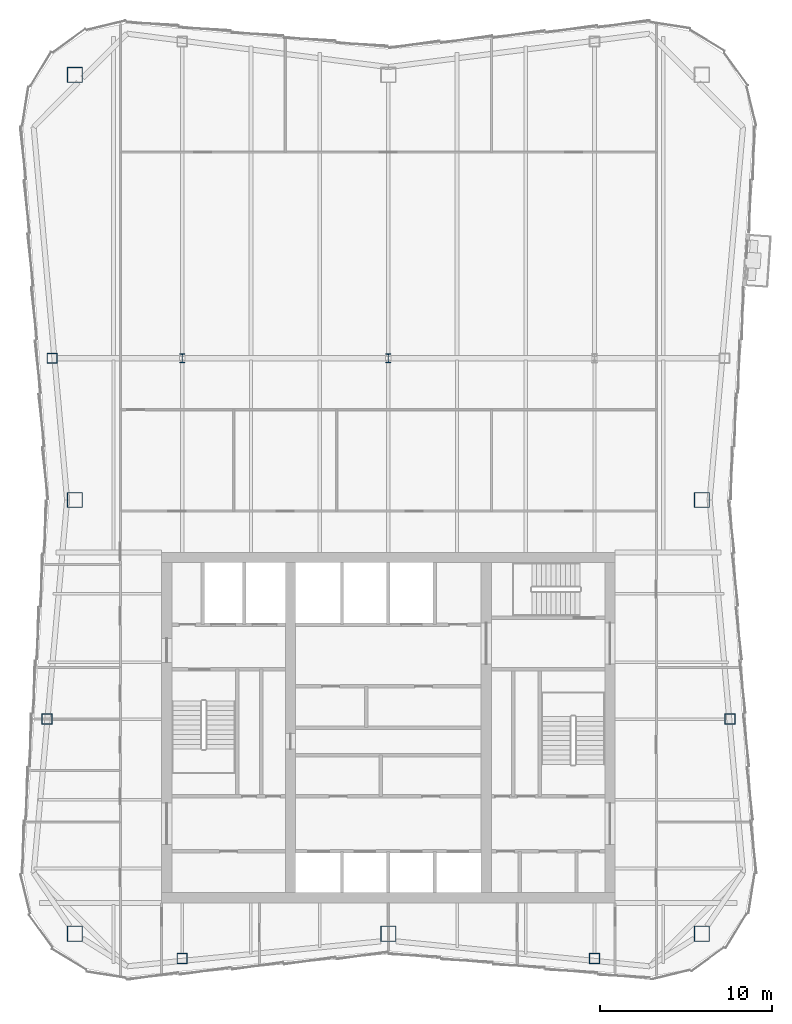
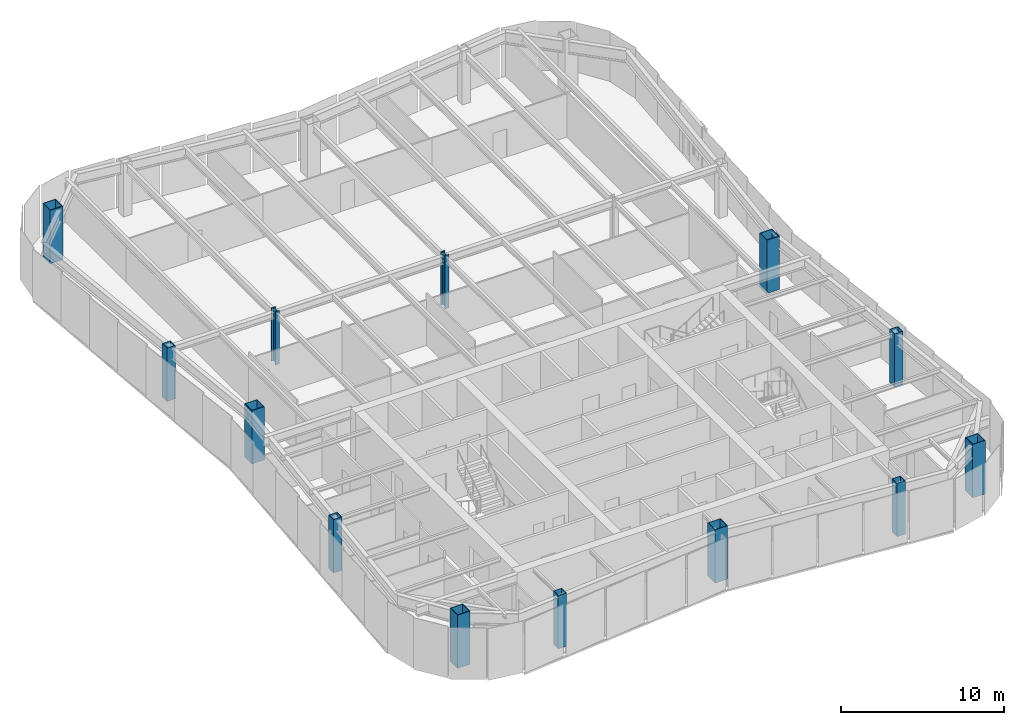
# One storey, part 1 of 10: 13 columns.
"""IFC4 building model written with IfcOpenShell, lengths in metres."""

from ifc_helpers import new_model, si_unit, direction, frame, origin, origin_2d, place, context, subcontext, project, spatial, hollow_rectangle, i_section, extrude, material, material_profile, profile_set, type_object, element, save


model = new_model("IFC4")

# Units and contexts
model_context = context("Model", 3, precision=1e-05, world=origin(), true_north=direction((0.0, 1.0)))
body_context = subcontext(model_context, "Body", "Model", "MODEL_VIEW")
ifc_project = project(units=[si_unit("LENGTHUNIT", "METRE"), si_unit("AREAUNIT", "SQUARE_METRE"), si_unit("VOLUMEUNIT", "CUBIC_METRE"), si_unit("PLANEANGLEUNIT", "RADIAN"), si_unit("MASSUNIT", "GRAM", prefix="KILO")], contexts=[model_context])

# Site, building, storey
site_placement = place(None, origin())
site = spatial("IfcSite", under=ifc_project, at=site_placement, CompositionType="ELEMENT")
building_placement = place(site_placement, origin())
building = spatial("IfcBuilding", under=site, at=building_placement, Name="Verdant Reach Tower", CompositionType="ELEMENT")
storey_placement = place(building_placement, frame((0.0, 0.0, 322.0)))
storey = spatial("IfcBuildingStorey", under=building, at=storey_placement, Name="L74", CompositionType="ELEMENT", Elevation=322.0)

# Columns
ifc_material = material(Name="Steel S460", Category="steel")
ifc_material_profile_1 = material_profile(ifc_material, i_section(OverallWidth=0.305908203125, OverallDepth=0.52392578125, WebThickness=0.012451171875, FlangeThickness=0.0400390625, FilletRadius=0.027099609375, at=origin_2d()), Name="HEM 500")
ifc_profile_set_1 = profile_set([ifc_material_profile_1], Name="Steel S460")
column_type_1 = type_object("IfcColumnType", Name="ST-COL-HEM500", PredefinedType="COLUMN", material=ifc_profile_set_1)
for number, where, z_axis, x_axis, name in (
    (1, (-12.0, 49.5, 0.0), (0.0, 0.0, 1.0), (1.0, 0.0, 0.0), "Interior column 1, L74"),
    (2, (0.0, 49.5, 0.0), (0.0, 0.0, 1.0), (1.0, 0.0, 0.0), "Interior column 2, L74"),
):
    element("IfcColumn", number, at=place(storey_placement, frame(where, z_axis=z_axis, x_axis=x_axis)), inside=storey, type_object=column_type_1, Name=name, PredefinedType="COLUMN", context=body_context, shape_type="SweptSolid", body=[
        extrude(i_section(OverallWidth=0.305908203125, OverallDepth=0.52392578125, WebThickness=0.012451171875, FlangeThickness=0.0400390625, FilletRadius=0.027099609375, at=origin_2d()), origin(), (0.0, 0.0, 1.0), 4.0),
    ])
ifc_material_profile_2 = material_profile(ifc_material, hollow_rectangle(XDim=0.60009765625, YDim=0.60009765625, WallThickness=0.02490234375, at=origin_2d()), Name="WB 600x600x25")
ifc_profile_set_2 = profile_set([ifc_material_profile_2], Name="Steel S460")
column_type_2 = type_object("IfcColumnType", Name="ST-COL-WB600x600x25", PredefinedType="COLUMN", material=ifc_profile_set_2)
for number, where, z_axis, x_axis, name in (
    (3, (-12.0, 14.569580078125, 0.0), (0.0, 0.0, 1.0), (1.0, 0.0, 0.0), "Perimeter column south 1, L74"),
    (4, (12.0, 14.569580078125, 0.0), (0.0, 0.0, 1.0), (1.0, 0.0, 0.0), "Perimeter column south 2, L74"),
    (5, (19.87939453125, 28.5, 0.0), (0.0, 0.0, 1.0), (1.0, 0.0, 0.0), "Perimeter column east 1, L74"),
    (6, (-19.87939453125, 28.5, 0.0), (0.0, 0.0, 1.0), (1.0, 0.0, 0.0), "Perimeter column west 1, L74"),
    (7, (-19.569091796875, 49.5, 0.0), (0.0, 0.0, 1.0), (1.0, 0.0, 0.0), "Perimeter column west 2, L74"),
):
    element("IfcColumn", number, at=place(storey_placement, frame(where, z_axis=z_axis, x_axis=x_axis)), inside=storey, type_object=column_type_2, Name=name, PredefinedType="COLUMN", context=body_context, shape_type="SweptSolid", body=[
        extrude(hollow_rectangle(XDim=0.60009765625, YDim=0.60009765625, WallThickness=0.02490234375, at=origin_2d()), origin(), (0.0, 0.0, 1.0), 4.0),
    ])
ifc_material_profile_3 = material_profile(ifc_material, hollow_rectangle(XDim=0.89990234375, YDim=0.89990234375, WallThickness=0.0400390625, at=origin_2d()), Name="WB 900x900x40")
ifc_profile_set_3 = profile_set([ifc_material_profile_3], Name="Steel S460")
column_type_3 = type_object("IfcColumnType", Name="ST-COL-WB900x900x40", PredefinedType="COLUMN", material=ifc_profile_set_3)
for number, where, z_axis, x_axis, name in (
    (8, (-18.25, 66.0, 0.0), (0.0, 0.0, 1.0), (1.0, 0.0, 0.0), "Mega column north-west, L74"),
    (9, (18.25, 41.25, 0.0), (0.0, 0.0, 1.0), (1.0, 0.0, 0.0), "Mega column east, L74"),
    (10, (18.25, 16.0, 0.0), (0.0, 0.0, 1.0), (1.0, 0.0, 0.0), "Mega column south-east, L74"),
    (11, (0.0, 16.0, 0.0), (0.0, 0.0, 1.0), (1.0, 0.0, 0.0), "Mega column south, L74"),
    (12, (-18.25, 16.0, 0.0), (0.0, 0.0, 1.0), (1.0, 0.0, 0.0), "Mega column south-west, L74"),
    (13, (-18.25, 41.25, 0.0), (0.0, 0.0, 1.0), (1.0, 0.0, 0.0), "Mega column west, L74"),
):
    element("IfcColumn", number, at=place(storey_placement, frame(where, z_axis=z_axis, x_axis=x_axis)), inside=storey, type_object=column_type_3, Name=name, PredefinedType="COLUMN", context=body_context, shape_type="SweptSolid", body=[
        extrude(hollow_rectangle(XDim=0.89990234375, YDim=0.89990234375, WallThickness=0.0400390625, at=origin_2d()), origin(), (0.0, 0.0, 1.0), 4.0),
    ])

save(model, "model.ifc")
